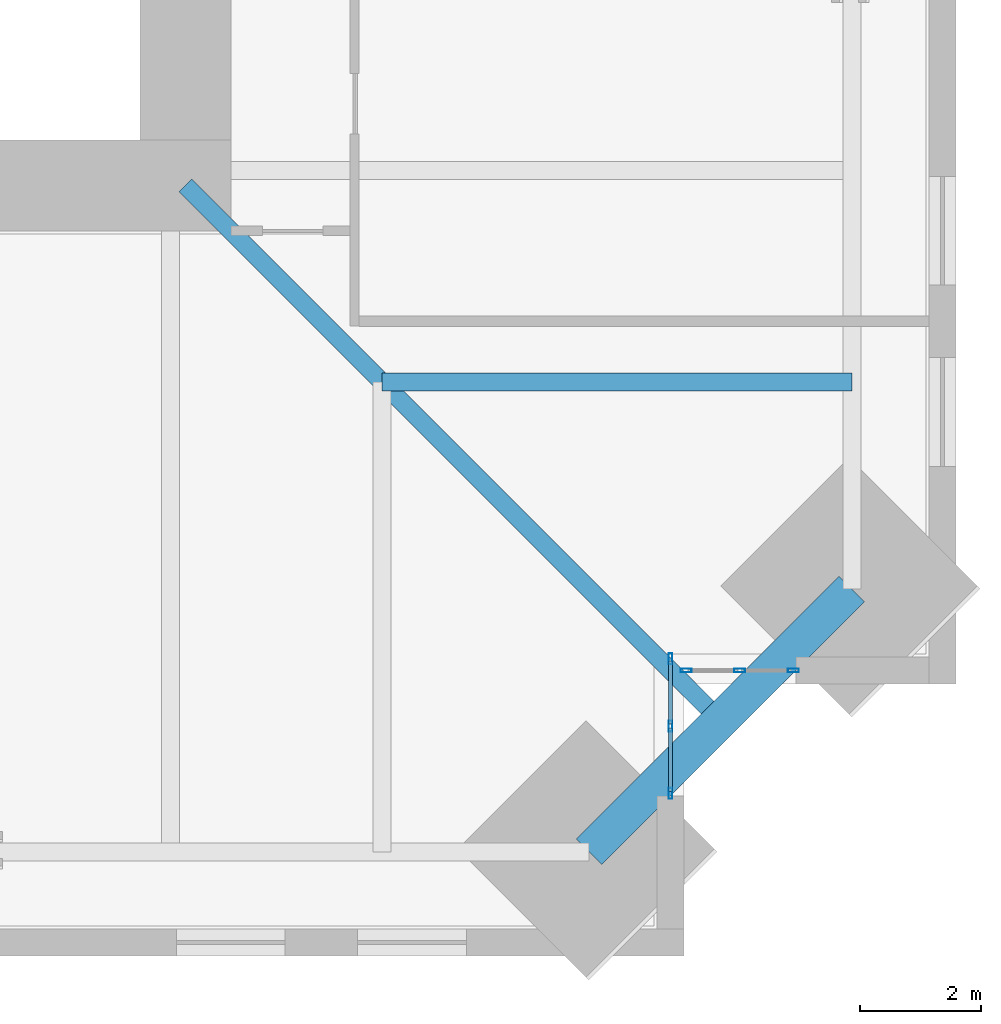
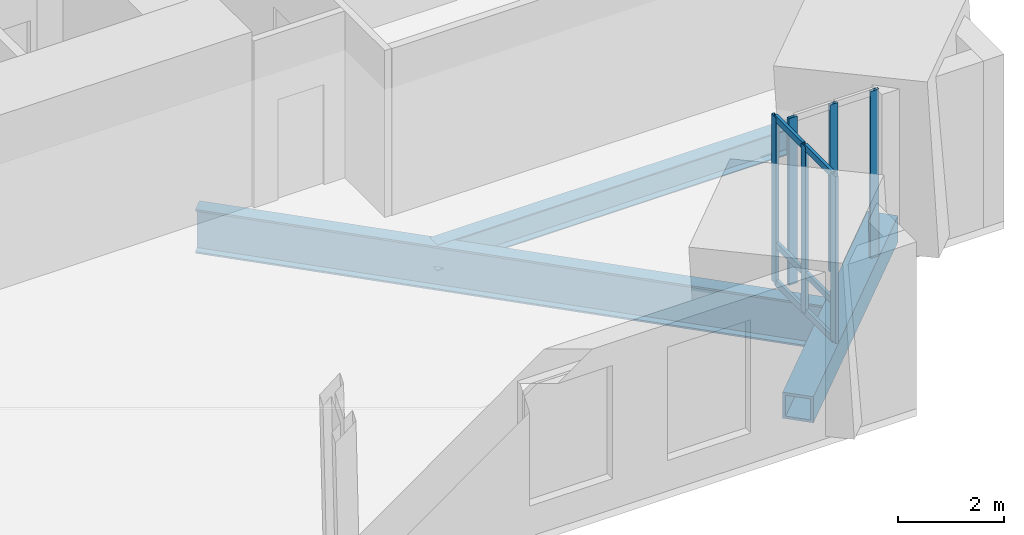
# One storey, part 4 of 15: 12 members, 3 beams, 2 elements without a shape of their own.
"""IFC4 building model written with IfcOpenShell, lengths in metres."""

from ifc_helpers import new_model, si_unit, direction, frame, origin, origin_2d, place, context, subcontext, project, spatial, hollow_rectangle, i_section, extrude, material, material_profile, profile_set, type_object, element, aggregate, save


model = new_model("IFC4")

# Units and contexts
model_context = context("Model", 3, precision=1e-05, world=origin(), true_north=direction((0.0, 1.0)))
body_context = subcontext(model_context, "Body", "Model", "MODEL_VIEW")
ifc_project = project(units=[si_unit("LENGTHUNIT", "METRE"), si_unit("AREAUNIT", "SQUARE_METRE"), si_unit("VOLUMEUNIT", "CUBIC_METRE"), si_unit("PLANEANGLEUNIT", "RADIAN"), si_unit("MASSUNIT", "GRAM", prefix="KILO")], contexts=[model_context])

# Site, building, storey
site_placement = place(None, origin())
site = spatial("IfcSite", under=ifc_project, at=site_placement, CompositionType="ELEMENT")
building_placement = place(site_placement, origin())
building = spatial("IfcBuilding", under=site, at=building_placement, Name="Peilmerk Tower", CompositionType="ELEMENT")
storey_placement = place(building_placement, frame((0.0, 0.0, 213.800048828125)))
storey = spatial("IfcBuildingStorey", under=building, at=storey_placement, Name="L46", CompositionType="ELEMENT", Elevation=213.800048828125)

# Beams
ifc_material_1 = material(Name="Steel S460", Category="steel")
ifc_material_profile_1 = material_profile(ifc_material_1, hollow_rectangle(XDim=0.60009765625, YDim=0.60009765625, WallThickness=0.06005859375, at=origin_2d()), Name="BOX 600x600x60")
ifc_profile_set_1 = profile_set([ifc_material_profile_1], Name="Steel S460")
beam_type_1 = type_object("IfcBeamType", Name="B20 BOX 600x600x60 notch beam", PredefinedType="SPANDREL", material=ifc_profile_set_1)
beam_1_placement = place(storey_placement, frame((22.27587890625, -17.92578125, -0.469970703125), z_axis=(-0.707106781187, -0.707106781187, 0.0), x_axis=(0.707106781187, -0.707106781187, 0.0)))
element("IfcBeam", 1, at=beam_1_placement, inside=storey, type_object=beam_type_1, Name="Notch beam L46", PredefinedType="SPANDREL", context=body_context, shape_type="SweptSolid", body=[
    extrude(hollow_rectangle(XDim=0.60009765625, YDim=0.60009765625, WallThickness=0.06005859375, at=origin_2d()), origin(), (0.0, 0.0, 1.0), 6.15185546875),
])
ifc_material_2 = material(Name="Steel S355", Category="steel")
ifc_material_profile_2 = material_profile(ifc_material_2, i_section(OverallWidth=0.302001953125, OverallDepth=1.008056640625, WebThickness=0.02099609375, FlangeThickness=0.0400390625, at=origin_2d()), Name="HEM 1000")
ifc_profile_set_2 = profile_set([ifc_material_profile_2], Name="Steel S355")
beam_type_2 = type_object("IfcBeamType", Name="B24 HEM 1000 floor girder", PredefinedType="BEAM", material=ifc_profile_set_2)
beam_2_placement = place(storey_placement, frame((11.25, -11.25, -0.674072265625), z_axis=(0.707106781187, -0.707106781187, 0.0), x_axis=(0.707106781187, 0.707106781187, 0.0)))
element("IfcBeam", 2, at=beam_2_placement, inside=storey, type_object=beam_type_2, Name="Corner girder L46", PredefinedType="BEAM", context=body_context, shape_type="SweptSolid", body=[
    extrude(i_section(OverallWidth=0.302001953125, OverallDepth=1.008056640625, WebThickness=0.02099609375, FlangeThickness=0.0400390625, at=origin_2d()), origin(), (0.0, 0.0, 1.0), 12.516845703125),
])
ifc_material_profile_3 = material_profile(ifc_material_2, i_section(OverallWidth=0.300048828125, OverallDepth=0.590087890625, WebThickness=0.012939453125, FlangeThickness=0.02490234375, at=origin_2d()), Name="HEA 600")
ifc_profile_set_3 = profile_set([ifc_material_profile_3], Name="Steel S355")
beam_type_3 = type_object("IfcBeamType", Name="B27 HEA 600 floor beam", PredefinedType="BEAM", material=ifc_profile_set_3)
beam_3_placement = place(storey_placement, frame((14.5, -14.5, -0.465087890625), z_axis=(1.0, 0.0, 0.0), x_axis=(0.0, 1.0, 0.0)))
element("IfcBeam", 3, at=beam_3_placement, inside=storey, type_object=beam_type_3, Name="Floor beam L46", PredefinedType="BEAM", context=body_context, shape_type="SweptSolid", body=[
    extrude(i_section(OverallWidth=0.300048828125, OverallDepth=0.590087890625, WebThickness=0.012939453125, FlangeThickness=0.02490234375, at=origin_2d()), origin(), (0.0, 0.0, 1.0), 7.77587890625),
])

# Curtain wall, members
ifc_material_3 = material(Name="Aluminium stick curtain wall", Category="aluminium")
curtain_wall_type = type_object("IfcCurtainWallType", Name="CW4 stick curtain wall, 2250 module", PredefinedType="NOTDEFINED", material=ifc_material_3)
curtain_wall_1_placement = place(storey_placement, origin())
curtain_wall_1 = element("IfcCurtainWall", 4, at=curtain_wall_1_placement, inside=storey, type_object=curtain_wall_type, Name="Curtain wall CW4 SEA L46", PredefinedType="NOTDEFINED")
ifc_material_4 = material(Name="Aluminium EN AW-6063 T6", Category="aluminium")
ifc_material_profile_4 = material_profile(ifc_material_4, hollow_rectangle(XDim=0.06494140625, YDim=0.179931640625, WallThickness=0.0029296875, at=origin_2d()), Name="AL 180x65x3")
ifc_profile_set_4 = profile_set([ifc_material_profile_4], Name="Aluminium EN AW-6063 T6")
member_type_1 = type_object("IfcMemberType", Name="CW4-M AL 180x65x3 mullion", PredefinedType="MULLION", material=ifc_profile_set_4)
member_1_placement = place(storey_placement, frame((19.27490234375, -19.08251953125, 0.0), z_axis=(0.0, 0.0, 1.0), x_axis=(1.0, 0.0, 0.0)))
member_1 = element("IfcMember", 5, at=member_1_placement, type_object=member_type_1, Name="CW4 mullion 1", PredefinedType="MULLION", context=body_context, shape_type="SweptSolid", body=[
    extrude(hollow_rectangle(XDim=0.06494140625, YDim=0.179931640625, WallThickness=0.0029296875, at=origin_2d()), origin(), (0.0, 0.0, 1.0), 3.829833984375),
])
member_2_placement = place(storey_placement, frame((19.27490234375, -20.1943359375, 0.0), z_axis=(0.0, 0.0, 1.0), x_axis=(1.0, 0.0, 0.0)))
member_2 = element("IfcMember", 6, at=member_2_placement, type_object=member_type_1, Name="CW4 mullion 2", PredefinedType="MULLION", context=body_context, shape_type="SweptSolid", body=[
    extrude(hollow_rectangle(XDim=0.06494140625, YDim=0.179931640625, WallThickness=0.0029296875, at=origin_2d()), origin(), (0.0, 0.0, 1.0), 3.829833984375),
])
member_3_placement = place(storey_placement, frame((19.27490234375, -21.30615234375, 0.0), z_axis=(0.0, 0.0, 1.0), x_axis=(1.0, 0.0, 0.0)))
member_3 = element("IfcMember", 7, at=member_3_placement, type_object=member_type_1, Name="CW4 mullion 3", PredefinedType="MULLION", context=body_context, shape_type="SweptSolid", body=[
    extrude(hollow_rectangle(XDim=0.06494140625, YDim=0.179931640625, WallThickness=0.0029296875, at=origin_2d()), origin(), (0.0, 0.0, 1.0), 3.829833984375),
])

curtain_wall_2_placement = place(storey_placement, origin())
curtain_wall_2 = element("IfcCurtainWall", 8, at=curtain_wall_2_placement, inside=storey, type_object=curtain_wall_type, Name="Curtain wall CW4 SEB L46", PredefinedType="NOTDEFINED")
member_4_placement = place(storey_placement, frame((19.532470703125, -19.27490234375, 0.0), z_axis=(0.0, 0.0, 1.0), x_axis=(0.0, 1.0, 0.0)))
member_4 = element("IfcMember", 9, at=member_4_placement, type_object=member_type_1, Name="CW4 mullion 1", PredefinedType="MULLION", context=body_context, shape_type="SweptSolid", body=[
    extrude(hollow_rectangle(XDim=0.06494140625, YDim=0.179931640625, WallThickness=0.0029296875, at=origin_2d()), origin(), (0.0, 0.0, 1.0), 3.829833984375),
])
member_5_placement = place(storey_placement, frame((20.41943359375, -19.27490234375, 0.0), z_axis=(0.0, 0.0, 1.0), x_axis=(0.0, 1.0, 0.0)))
member_5 = element("IfcMember", 10, at=member_5_placement, type_object=member_type_1, Name="CW4 mullion 2", PredefinedType="MULLION", context=body_context, shape_type="SweptSolid", body=[
    extrude(hollow_rectangle(XDim=0.06494140625, YDim=0.179931640625, WallThickness=0.0029296875, at=origin_2d()), origin(), (0.0, 0.0, 1.0), 3.829833984375),
])
member_6_placement = place(storey_placement, frame((21.30615234375, -19.27490234375, 0.0), z_axis=(0.0, 0.0, 1.0), x_axis=(0.0, 1.0, 0.0)))
member_6 = element("IfcMember", 11, at=member_6_placement, type_object=member_type_1, Name="CW4 mullion 3", PredefinedType="MULLION", context=body_context, shape_type="SweptSolid", body=[
    extrude(hollow_rectangle(XDim=0.06494140625, YDim=0.179931640625, WallThickness=0.0029296875, at=origin_2d()), origin(), (0.0, 0.0, 1.0), 3.829833984375),
])
aggregate(curtain_wall_2, [member_4, member_5, member_6])

# Member
ifc_material_profile_5 = material_profile(ifc_material_4, hollow_rectangle(XDim=0.06494140625, YDim=0.14990234375, WallThickness=0.0029296875, at=origin_2d()), Name="AL 150x65x3")
ifc_profile_set_5 = profile_set([ifc_material_profile_5], Name="Aluminium EN AW-6063 T6")
member_type_2 = type_object("IfcMemberType", Name="CW4-T AL 150x65x3 transom", PredefinedType="USERDEFINED", material=ifc_profile_set_5)
member_7_placement = place(storey_placement, frame((19.27490234375, -19.114990234375, 0.032470703125), z_axis=(0.0, -1.0, 0.0), x_axis=(1.0, 0.0, 0.0)))
member_7 = element("IfcMember", 12, at=member_7_placement, type_object=member_type_2, Name="CW4 transom 1.1", ObjectType="TRANSOM", PredefinedType="USERDEFINED", context=body_context, shape_type="SweptSolid", body=[
    extrude(hollow_rectangle(XDim=0.06494140625, YDim=0.14990234375, WallThickness=0.0029296875, at=origin_2d()), origin(), (0.0, 0.0, 1.0), 1.046875),
])

member_8_placement = place(storey_placement, frame((19.27490234375, -19.114990234375, 0.89990234375), z_axis=(0.0, -1.0, 0.0), x_axis=(1.0, 0.0, 0.0)))
member_8 = element("IfcMember", 13, at=member_8_placement, type_object=member_type_2, Name="CW4 transom 1.2", ObjectType="TRANSOM", PredefinedType="USERDEFINED", context=body_context, shape_type="SweptSolid", body=[
    extrude(hollow_rectangle(XDim=0.06494140625, YDim=0.14990234375, WallThickness=0.0029296875, at=origin_2d()), origin(), (0.0, 0.0, 1.0), 1.046875),
])

member_9_placement = place(storey_placement, frame((19.27490234375, -19.114990234375, 3.79736328125), z_axis=(0.0, -1.0, 0.0), x_axis=(1.0, 0.0, 0.0)))
member_9 = element("IfcMember", 14, at=member_9_placement, type_object=member_type_2, Name="CW4 transom 1.3", ObjectType="TRANSOM", PredefinedType="USERDEFINED", context=body_context, shape_type="SweptSolid", body=[
    extrude(hollow_rectangle(XDim=0.06494140625, YDim=0.14990234375, WallThickness=0.0029296875, at=origin_2d()), origin(), (0.0, 0.0, 1.0), 1.046875),
])

member_10_placement = place(storey_placement, frame((19.27490234375, -20.226806640625, 0.032470703125), z_axis=(0.0, -1.0, 0.0), x_axis=(1.0, 0.0, 0.0)))
member_10 = element("IfcMember", 15, at=member_10_placement, type_object=member_type_2, Name="CW4 transom 2.1", ObjectType="TRANSOM", PredefinedType="USERDEFINED", context=body_context, shape_type="SweptSolid", body=[
    extrude(hollow_rectangle(XDim=0.06494140625, YDim=0.14990234375, WallThickness=0.0029296875, at=origin_2d()), origin(), (0.0, 0.0, 1.0), 1.046875),
])

member_11_placement = place(storey_placement, frame((19.27490234375, -20.226806640625, 0.89990234375), z_axis=(0.0, -1.0, 0.0), x_axis=(1.0, 0.0, 0.0)))
member_11 = element("IfcMember", 16, at=member_11_placement, type_object=member_type_2, Name="CW4 transom 2.2", ObjectType="TRANSOM", PredefinedType="USERDEFINED", context=body_context, shape_type="SweptSolid", body=[
    extrude(hollow_rectangle(XDim=0.06494140625, YDim=0.14990234375, WallThickness=0.0029296875, at=origin_2d()), origin(), (0.0, 0.0, 1.0), 1.046875),
])

member_12_placement = place(storey_placement, frame((19.27490234375, -20.226806640625, 3.79736328125), z_axis=(0.0, -1.0, 0.0), x_axis=(1.0, 0.0, 0.0)))
member_12 = element("IfcMember", 17, at=member_12_placement, type_object=member_type_2, Name="CW4 transom 2.3", ObjectType="TRANSOM", PredefinedType="USERDEFINED", context=body_context, shape_type="SweptSolid", body=[
    extrude(hollow_rectangle(XDim=0.06494140625, YDim=0.14990234375, WallThickness=0.0029296875, at=origin_2d()), origin(), (0.0, 0.0, 1.0), 1.046875),
])

aggregate(curtain_wall_1, [member_1, member_2, member_3, member_7, member_8, member_9, member_10, member_11, member_12])

save(model, "model.ifc")
